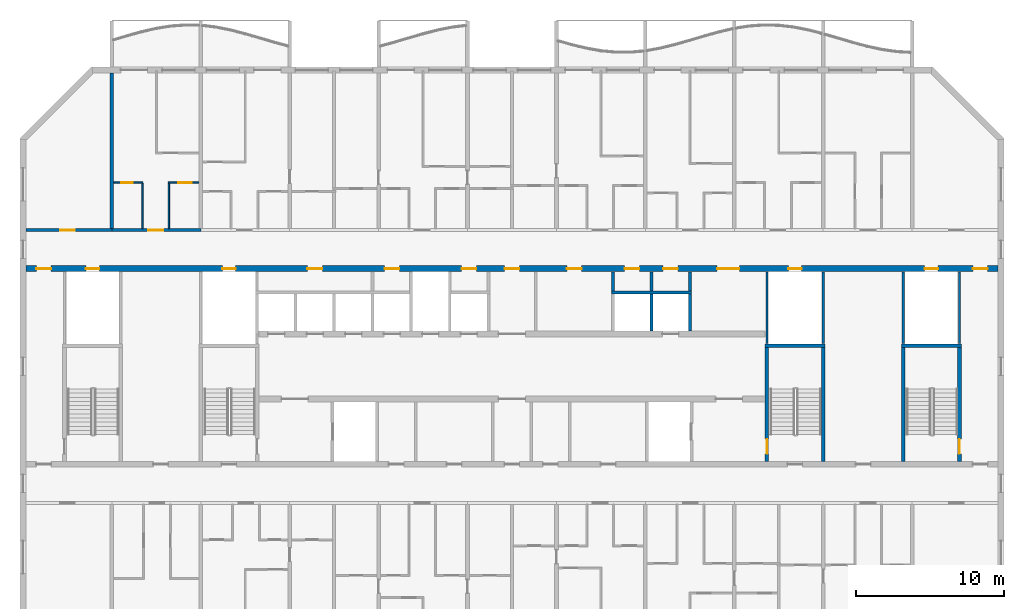
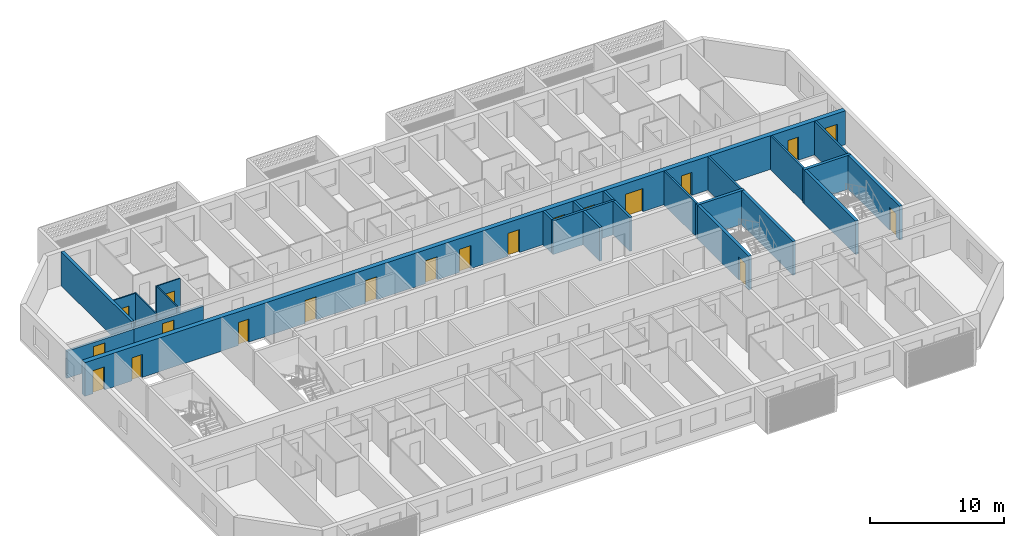
# One storey, part 7 of 28: 24 walls, 20 doors, 20 openings.
"""IFC4 building model written with IfcOpenShell, lengths in metres."""

from ifc_helpers import new_model, si_unit, direction, frame, frame_2d, origin, place, context, subcontext, project, spatial, rectangle, extrude, material, layer, layer_set, type_object, element, fill, save


model = new_model("IFC4")

# Units and contexts
model_context = context("Model", 3, precision=1e-05, world=origin(), true_north=direction((0.0, 1.0)))
body_context = subcontext(model_context, "Body", "Model", "MODEL_VIEW")
ifc_project = project(units=[si_unit("LENGTHUNIT", "METRE"), si_unit("AREAUNIT", "SQUARE_METRE"), si_unit("VOLUMEUNIT", "CUBIC_METRE"), si_unit("PLANEANGLEUNIT", "RADIAN"), si_unit("MASSUNIT", "GRAM", prefix="KILO")], contexts=[model_context])

# Site, building, storey
site_placement = place(None, origin())
site = spatial("IfcSite", under=ifc_project, at=site_placement, CompositionType="ELEMENT")
building_placement = place(site_placement, origin())
building = spatial("IfcBuilding", under=site, at=building_placement, Name="Poui Terraces", CompositionType="ELEMENT")
storey_placement = place(building_placement, frame((0.0, 0.0, 181.800048828125)))
storey = spatial("IfcBuildingStorey", under=building, at=storey_placement, Name="L50", CompositionType="ELEMENT", Elevation=181.800048828125)

# Wall, opening, door
ifc_material_1 = material(Name="Concrete 50 MPa", Category="concrete")
ifc_layer_1 = layer(ifc_material_1, 0.199951171875)
ifc_layer_set_1 = layer_set([ifc_layer_1], Name="Concrete 50 MPa")
wall_type_1 = type_object("IfcWallType", Name="CORRIDOR WALL 200 50MPa", PredefinedType="SHEAR", material=ifc_layer_set_1)
wall_1_placement = place(storey_placement, frame((18.199951171875, 30.39990234375, 0.0), z_axis=(0.0, 0.0, 1.0), x_axis=(1.0, 0.0, 0.0)))
wall_1 = element("IfcWall", 1, at=wall_1_placement, inside=storey, type_object=wall_type_1, Name="CORRIDOR WALL LINE E BAY 1", PredefinedType="SHEAR", context=body_context, shape_type="SweptSolid", body=[
    extrude(rectangle(XDim=5.800048828125, YDim=0.199951171875, at=frame_2d((2.89990234375, 0.0))), origin(), (0.0, 0.0, 1.0), 2.47998046875),
])
opening_1_placement = place(wall_1_placement, frame((2.300048828125, 0.0, 0.0)))
opening_1 = element("IfcOpeningElement", 2, at=opening_1_placement, cuts=wall_1, Name="Opening D100", PredefinedType="OPENING", context=body_context, shape_type="SweptSolid", body=[
    extrude(rectangle(XDim=1.0, YDim=2.10009765625, at=frame_2d((0.5, 1.050048828125))), frame((0.0, 0.10986328125, 0.0), z_axis=(0.0, -1.0, 0.0), x_axis=(1.0, 0.0, 0.0)), (0.0, 0.0, 1.0), 0.219970703125),
])
ifc_material_2 = material(Name="Solid core timber door", Category="wood")
door_type_1 = type_object("IfcDoorType", Name="ACCESSIBLE INTERNAL DOOR 1000 X 2100", OperationType="NOTDEFINED", PredefinedType="DOOR", material=ifc_material_2)
door_1_placement = place(opening_1_placement, origin())
door_1 = element("IfcDoor", 3, at=door_1_placement, inside=storey, type_object=door_type_1, Name="ACCESSIBLE INTERNAL DOOR 026", OperationType="SINGLE_SWING_LEFT", OverallHeight=2.10009765625, OverallWidth=1.0, PredefinedType="DOOR", context=body_context, shape_type="SweptSolid", body=[
    extrude(rectangle(XDim=1.0, YDim=2.10009765625, at=frame_2d((0.5, 1.050048828125))), frame((0.0, 0.02490234375, 0.0), z_axis=(0.0, -1.0, 0.0), x_axis=(1.0, 0.0, 0.0)), (0.0, 0.0, 1.0), 0.050048828125),
])
fill(opening_1, door_1)

wall_2_placement = place(storey_placement, frame((24.0, 30.39990234375, 0.0), z_axis=(0.0, 0.0, 1.0), x_axis=(1.0, 0.0, 0.0)))
wall_2 = element("IfcWall", 4, at=wall_2_placement, inside=storey, type_object=wall_type_1, Name="CORRIDOR WALL LINE E BAY 2", PredefinedType="SHEAR", context=body_context, shape_type="SweptSolid", body=[
    extrude(rectangle(XDim=6.0, YDim=0.199951171875, at=frame_2d((3.0, 0.0))), origin(), (0.0, 0.0, 1.0), 2.47998046875),
])
opening_2_placement = place(wall_2_placement, frame((2.449951171875, 0.0, 0.0)))
opening_2 = element("IfcOpeningElement", 5, at=opening_2_placement, cuts=wall_2, Name="Opening FD30S", PredefinedType="OPENING", context=body_context, shape_type="SweptSolid", body=[
    extrude(rectangle(XDim=1.0, YDim=2.10009765625, at=frame_2d((0.5, 1.050048828125))), frame((0.0, 0.10986328125, 0.0), z_axis=(0.0, -1.0, 0.0), x_axis=(1.0, 0.0, 0.0)), (0.0, 0.0, 1.0), 0.219970703125),
])
ifc_material_3 = material(Name="Steel fire door", Category="steel")
door_type_2 = type_object("IfcDoorType", Name="FLAT ENTRANCE DOOR 1000 X 2100", OperationType="NOTDEFINED", PredefinedType="DOOR", material=ifc_material_3)
door_2_placement = place(opening_2_placement, origin())
door_2 = element("IfcDoor", 6, at=door_2_placement, inside=storey, type_object=door_type_2, Name="FLAT ENTRANCE DOOR 028", OperationType="SINGLE_SWING_LEFT", OverallHeight=2.10009765625, OverallWidth=1.0, PredefinedType="DOOR", context=body_context, shape_type="SweptSolid", body=[
    extrude(rectangle(XDim=1.0, YDim=2.10009765625, at=frame_2d((0.5, 1.050048828125))), frame((0.0, 0.02490234375, 0.0), z_axis=(0.0, -1.0, 0.0), x_axis=(1.0, 0.0, 0.0)), (0.0, 0.0, 1.0), 0.050048828125),
])
fill(opening_2, door_2)

# Wall
ifc_layer_2 = layer(ifc_material_1, 0.25)
ifc_layer_set_2 = layer_set([ifc_layer_2], Name="Concrete 50 MPa")
wall_type_2 = type_object("IfcWallType", Name="CROSS WALL 250 50MPa", PredefinedType="SHEAR", material=ifc_layer_set_2)
wall_3_placement = place(storey_placement, frame((24.0, 30.5, 0.0), z_axis=(0.0, 0.0, 1.0), x_axis=(0.0, 1.0, 0.0)))
element("IfcWall", 7, at=wall_3_placement, inside=storey, type_object=wall_type_2, Name="CROSS WALL LINE 5 NORTH", PredefinedType="SHEAR", context=body_context, shape_type="SweptSolid", body=[
    extrude(rectangle(XDim=10.5, YDim=0.25, at=frame_2d((5.25, 0.0))), origin(), (0.0, 0.0, 1.0), 3.079833984375),
])

# Wall, opening, door
ifc_material_4 = material(Name="Plasterboard partition")
ifc_layer_3 = layer(ifc_material_4, 0.10009765625)
ifc_layer_set_3 = layer_set([ifc_layer_3], Name="Plasterboard partition")
wall_type_3 = type_object("IfcWallType", Name="FLAT PARTITION 100", PredefinedType="PARTITIONING", material=ifc_layer_set_3)
wall_4_placement = place(storey_placement, frame((24.135009765625, 33.60009765625, 0.0), z_axis=(0.0, 0.0, 1.0), x_axis=(1.0, 0.0, 0.0)))
wall_4 = element("IfcWall", 8, at=wall_4_placement, inside=storey, type_object=wall_type_3, Name="FLAT PARTITION 100", PredefinedType="PARTITIONING", context=body_context, shape_type="SweptSolid", body=[
    extrude(rectangle(XDim=1.965087890625, YDim=0.10009765625, at=frame_2d((0.982421875, 0.0))), origin(), (0.0, 0.0, 1.0), 3.079833984375),
])
opening_3_placement = place(wall_4_placement, frame((0.489990234375, 0.0, 0.0)))
opening_3 = element("IfcOpeningElement", 9, at=opening_3_placement, cuts=wall_4, Name="Opening D80", PredefinedType="OPENING", context=body_context, shape_type="SweptSolid", body=[
    extrude(rectangle(XDim=0.800048828125, YDim=2.10009765625, at=frame_2d((0.39990234375, 1.050048828125))), frame((0.0, 0.06005859375, 0.0), z_axis=(0.0, -1.0, 0.0), x_axis=(1.0, 0.0, 0.0)), (0.0, 0.0, 1.0), 0.1201171875),
])
door_type_3 = type_object("IfcDoorType", Name="BATHROOM, LAUNDRY AND STORE DOOR 800 X 2100", OperationType="NOTDEFINED", PredefinedType="DOOR", material=ifc_material_2)
door_3_placement = place(opening_3_placement, frame((0.800048828125, 0.0, 0.0), z_axis=(0.0, 0.0, 1.0), x_axis=(-1.0, 0.0, 0.0)))
door_3 = element("IfcDoor", 10, at=door_3_placement, inside=storey, type_object=door_type_3, Name="BATHROOM, LAUNDRY AND STORE DOOR 027", OperationType="SINGLE_SWING_LEFT", OverallHeight=2.10009765625, OverallWidth=0.800048828125, PredefinedType="DOOR", context=body_context, shape_type="SweptSolid", body=[
    extrude(rectangle(XDim=0.800048828125, YDim=2.10009765625, at=frame_2d((0.39990234375, 1.050048828125))), frame((0.0, 0.02490234375, 0.0), z_axis=(0.0, -1.0, 0.0), x_axis=(1.0, 0.0, 0.0)), (0.0, 0.0, 1.0), 0.050048828125),
])
fill(opening_3, door_3)

wall_5_placement = place(storey_placement, frame((27.800048828125, 33.60009765625, 0.0), z_axis=(0.0, 0.0, 1.0), x_axis=(1.0, 0.0, 0.0)))
wall_5 = element("IfcWall", 11, at=wall_5_placement, inside=storey, type_object=wall_type_3, Name="FLAT PARTITION 100", PredefinedType="PARTITIONING", context=body_context, shape_type="SweptSolid", body=[
    extrude(rectangle(XDim=2.06494140625, YDim=0.10009765625, at=frame_2d((1.032470703125, 0.0))), origin(), (0.0, 0.0, 1.0), 3.079833984375),
])
opening_4_placement = place(wall_5_placement, frame((0.675048828125, 0.0, 0.0)))
opening_4 = element("IfcOpeningElement", 12, at=opening_4_placement, cuts=wall_5, Name="Opening D90", PredefinedType="OPENING", context=body_context, shape_type="SweptSolid", body=[
    extrude(rectangle(XDim=0.89990234375, YDim=2.10009765625, at=frame_2d((0.449951171875, 1.050048828125))), frame((0.0, 0.06005859375, 0.0), z_axis=(0.0, -1.0, 0.0), x_axis=(1.0, 0.0, 0.0)), (0.0, 0.0, 1.0), 0.1201171875),
])
door_type_4 = type_object("IfcDoorType", Name="INTERNAL DOOR 900 X 2100", OperationType="NOTDEFINED", PredefinedType="DOOR", material=ifc_material_2)
door_4_placement = place(opening_4_placement, frame((0.89990234375, 0.0, 0.0), z_axis=(0.0, 0.0, 1.0), x_axis=(-1.0, 0.0, 0.0)))
door_4 = element("IfcDoor", 13, at=door_4_placement, inside=storey, type_object=door_type_4, Name="INTERNAL DOOR 030", OperationType="SINGLE_SWING_RIGHT", OverallHeight=2.10009765625, OverallWidth=0.89990234375, PredefinedType="DOOR", context=body_context, shape_type="SweptSolid", body=[
    extrude(rectangle(XDim=0.89990234375, YDim=2.10009765625, at=frame_2d((0.449951171875, 1.050048828125))), frame((0.0, 0.02490234375, 0.0), z_axis=(0.0, -1.0, 0.0), x_axis=(1.0, 0.0, 0.0)), (0.0, 0.0, 1.0), 0.050048828125),
])
fill(opening_4, door_4)

# Walls
for number, where, z_axis, x_axis, name in (
    (14, (26.050048828125, 30.510009765625, 0.0), (0.0, 0.0, 1.0), (0.0, 1.0, 0.0), "FLAT PARTITION 100"),
    (15, (27.85009765625, 30.510009765625, 0.0), (0.0, 0.0, 1.0), (0.0, 1.0, 0.0), "FLAT PARTITION 100"),
):
    element("IfcWall", number, at=place(storey_placement, frame(where, z_axis=z_axis, x_axis=x_axis)), inside=storey, type_object=wall_type_3, Name=name, PredefinedType="PARTITIONING", context=body_context, shape_type="SweptSolid", body=[
        extrude(rectangle(XDim=3.0400390625, YDim=0.10009765625, at=frame_2d((1.52001953125, 0.0))), origin(), (0.0, 0.0, 1.0), 3.079833984375),
    ])
ifc_material_5 = material(Name="Fire-rated masonry wall", Category="masonry")
ifc_layer_4 = layer(ifc_material_5, 0.199951171875)
ifc_layer_set_4 = layer_set([ifc_layer_4], Name="Fire-rated masonry wall")
wall_type_4 = type_object("IfcWallType", Name="PLANT ROOM WALL 200", PredefinedType="PARTITIONING", material=ifc_layer_set_4)
for number, where, z_axis, x_axis, name in (
    (16, (57.800048828125, 26.300048828125, 0.0), (0.0, 0.0, 1.0), (0.0, 1.0, 0.0), "PLANT ROOM WALL 200"),
    (17, (60.39990234375, 26.300048828125, 0.0), (0.0, 0.0, 1.0), (0.0, 1.0, 0.0), "PLANT ROOM WALL 200"),
    (18, (63.0, 26.300048828125, 0.0), (0.0, 0.0, 1.0), (0.0, 1.0, 0.0), "PLANT ROOM WALL 200"),
):
    element("IfcWall", number, at=place(storey_placement, frame(where, z_axis=z_axis, x_axis=x_axis)), inside=storey, type_object=wall_type_4, Name=name, PredefinedType="PARTITIONING", context=body_context, shape_type="SweptSolid", body=[
        extrude(rectangle(XDim=1.2900390625, YDim=0.199951171875, at=frame_2d((0.64501953125, 0.0))), origin(), (0.0, 0.0, 1.0), 3.079833984375),
    ])
ifc_material_6 = material(Name="Fire-rated plasterboard riser wall")
ifc_layer_5 = layer(ifc_material_6, 0.14990234375)
ifc_layer_set_5 = layer_set([ifc_layer_5], Name="Fire-rated plasterboard riser wall")
wall_type_5 = type_object("IfcWallType", Name="RISER WALL 150", PredefinedType="PARTITIONING", material=ifc_layer_set_5)
for number, where, z_axis, x_axis, name in (
    (19, (68.199951171875, 22.735107421875, 0.0), (0.0, 0.0, 1.0), (0.0, 1.0, 0.0), "RISER WALL 150"),
    (20, (72.0, 22.735107421875, 0.0), (0.0, 0.0, 1.0), (0.0, 1.0, 0.0), "RISER WALL 150"),
    (21, (77.39990234375, 22.735107421875, 0.0), (0.0, 0.0, 1.0), (0.0, 1.0, 0.0), "RISER WALL 150"),
    (22, (81.199951171875, 22.735107421875, 0.0), (0.0, 0.0, 1.0), (0.0, 1.0, 0.0), "RISER WALL 150"),
):
    element("IfcWall", number, at=place(storey_placement, frame(where, z_axis=z_axis, x_axis=x_axis)), inside=storey, type_object=wall_type_5, Name=name, PredefinedType="PARTITIONING", context=body_context, shape_type="SweptSolid", body=[
        extrude(rectangle(XDim=4.85498046875, YDim=0.14990234375, at=frame_2d((2.427490234375, 0.0))), origin(), (0.0, 0.0, 1.0), 3.079833984375),
    ])
ifc_material_7 = material(Name="Fire-rated masonry shaft wall", Category="masonry")
ifc_layer_6 = layer(ifc_material_7, 0.199951171875)
ifc_layer_set_6 = layer_set([ifc_layer_6], Name="Fire-rated masonry shaft wall")
wall_type_6 = type_object("IfcWallType", Name="SHAFT WALL 200", PredefinedType="PARTITIONING", material=ifc_layer_set_6)
wall_6_placement = place(storey_placement, frame((57.699951171875, 26.199951171875, 0.0), z_axis=(0.0, 0.0, 1.0), x_axis=(1.0, 0.0, 0.0)))
element("IfcWall", 23, at=wall_6_placement, inside=storey, type_object=wall_type_6, Name="SHAFT WALL 200", PredefinedType="PARTITIONING", context=body_context, shape_type="SweptSolid", body=[
    extrude(rectangle(XDim=5.400146484375, YDim=0.199951171875, at=frame_2d((2.7001953125, 0.0))), origin(), (0.0, 0.0, 1.0), 3.079833984375),
])
for number, where, z_axis, x_axis, name in (
    (24, (60.39990234375, 23.610107421875, 0.0), (0.0, 0.0, 1.0), (0.0, 1.0, 0.0), "SHAFT WALL 200"),
    (25, (63.0, 23.610107421875, 0.0), (0.0, 0.0, 1.0), (0.0, 1.0, 0.0), "SHAFT WALL 200"),
):
    element("IfcWall", number, at=place(storey_placement, frame(where, z_axis=z_axis, x_axis=x_axis)), inside=storey, type_object=wall_type_6, Name=name, PredefinedType="PARTITIONING", context=body_context, shape_type="SweptSolid", body=[
        extrude(rectangle(XDim=2.489990234375, YDim=0.199951171875, at=frame_2d((1.2451171875, 0.0))), origin(), (0.0, 0.0, 1.0), 3.079833984375),
    ])

# Wall, openings, doors
ifc_layer_7 = layer(ifc_material_1, 0.39990234375)
ifc_layer_set_7 = layer_set([ifc_layer_7], Name="Concrete 50 MPa")
wall_type_7 = type_object("IfcWallType", Name="SPINE WALL 400 50 MPA", PredefinedType="SOLIDWALL", material=ifc_layer_set_7)
wall_7_placement = place(storey_placement, frame((18.199951171875, 27.800048828125, 0.0), z_axis=(0.0, 0.0, 1.0), x_axis=(1.0, 0.0, 0.0)))
wall_7 = element("IfcWall", 26, at=wall_7_placement, inside=storey, type_object=wall_type_7, Name="SPINE WALL", PredefinedType="SOLIDWALL", context=body_context, shape_type="SweptSolid", body=[
    extrude(rectangle(XDim=65.60009765625, YDim=0.39990234375, at=frame_2d((32.800048828125, 0.0))), origin(), (0.0, 0.0, 1.0), 3.079833984375),
])
opening_5_placement = place(wall_7_placement, frame((0.699951171875, 0.0, 0.0)))
opening_5 = element("IfcOpeningElement", 27, at=opening_5_placement, cuts=wall_7, Name="Opening FDL", PredefinedType="OPENING", context=body_context, shape_type="SweptSolid", body=[
    extrude(rectangle(XDim=1.0, YDim=2.10009765625, at=frame_2d((0.5, 1.050048828125))), frame((0.0, 0.2099609375, 0.0), z_axis=(0.0, -1.0, 0.0), x_axis=(1.0, 0.0, 0.0)), (0.0, 0.0, 1.0), 0.419921875),
])
opening_6_placement = place(wall_7_placement, frame((4.050048828125, 0.0, 0.0)))
opening_6 = element("IfcOpeningElement", 28, at=opening_6_placement, cuts=wall_7, Name="Opening FDR", PredefinedType="OPENING", context=body_context, shape_type="SweptSolid", body=[
    extrude(rectangle(XDim=0.89990234375, YDim=2.10009765625, at=frame_2d((0.449951171875, 1.050048828125))), frame((0.0, 0.2099609375, 0.0), z_axis=(0.0, -1.0, 0.0), x_axis=(1.0, 0.0, 0.0)), (0.0, 0.0, 1.0), 0.419921875),
])
opening_7_placement = place(wall_7_placement, frame((13.25, 0.0, 0.0)))
opening_7 = element("IfcOpeningElement", 29, at=opening_7_placement, cuts=wall_7, Name="Opening FDR", PredefinedType="OPENING", context=body_context, shape_type="SweptSolid", body=[
    extrude(rectangle(XDim=0.89990234375, YDim=2.10009765625, at=frame_2d((0.449951171875, 1.050048828125))), frame((0.0, 0.2099609375, 0.0), z_axis=(0.0, -1.0, 0.0), x_axis=(1.0, 0.0, 0.0)), (0.0, 0.0, 1.0), 0.419921875),
])
opening_8_placement = place(wall_7_placement, frame((19.0, 0.0, 0.0)))
opening_8 = element("IfcOpeningElement", 30, at=opening_8_placement, cuts=wall_7, Name="Opening FD60", PredefinedType="OPENING", context=body_context, shape_type="SweptSolid", body=[
    extrude(rectangle(XDim=1.0, YDim=2.10009765625, at=frame_2d((0.5, 1.050048828125))), frame((0.0, 0.2099609375, 0.0), z_axis=(0.0, -1.0, 0.0), x_axis=(1.0, 0.0, 0.0)), (0.0, 0.0, 1.0), 0.419921875),
])
opening_9_placement = place(wall_7_placement, frame((24.199951171875, 0.0, 0.0)))
opening_9 = element("IfcOpeningElement", 31, at=opening_9_placement, cuts=wall_7, Name="Opening FD60", PredefinedType="OPENING", context=body_context, shape_type="SweptSolid", body=[
    extrude(rectangle(XDim=1.0, YDim=2.10009765625, at=frame_2d((0.5, 1.050048828125))), frame((0.0, 0.2099609375, 0.0), z_axis=(0.0, -1.0, 0.0), x_axis=(1.0, 0.0, 0.0)), (0.0, 0.0, 1.0), 0.419921875),
])
opening_10_placement = place(wall_7_placement, frame((29.39990234375, 0.0, 0.0)))
opening_10 = element("IfcOpeningElement", 32, at=opening_10_placement, cuts=wall_7, Name="Opening FD60", PredefinedType="OPENING", context=body_context, shape_type="SweptSolid", body=[
    extrude(rectangle(XDim=1.0, YDim=2.10009765625, at=frame_2d((0.5, 1.050048828125))), frame((0.0, 0.2099609375, 0.0), z_axis=(0.0, -1.0, 0.0), x_axis=(1.0, 0.0, 0.0)), (0.0, 0.0, 1.0), 0.419921875),
])
opening_11_placement = place(wall_7_placement, frame((32.300048828125, 0.0, 0.0)))
opening_11 = element("IfcOpeningElement", 33, at=opening_11_placement, cuts=wall_7, Name="Opening FDL", PredefinedType="OPENING", context=body_context, shape_type="SweptSolid", body=[
    extrude(rectangle(XDim=1.0, YDim=2.10009765625, at=frame_2d((0.5, 1.050048828125))), frame((0.0, 0.2099609375, 0.0), z_axis=(0.0, -1.0, 0.0), x_axis=(1.0, 0.0, 0.0)), (0.0, 0.0, 1.0), 0.419921875),
])
opening_12_placement = place(wall_7_placement, frame((36.5, 0.0, 0.0)))
opening_12 = element("IfcOpeningElement", 34, at=opening_12_placement, cuts=wall_7, Name="Opening FD60", PredefinedType="OPENING", context=body_context, shape_type="SweptSolid", body=[
    extrude(rectangle(XDim=1.0, YDim=2.10009765625, at=frame_2d((0.5, 1.050048828125))), frame((0.0, 0.2099609375, 0.0), z_axis=(0.0, -1.0, 0.0), x_axis=(1.0, 0.0, 0.0)), (0.0, 0.0, 1.0), 0.419921875),
])
opening_13_placement = place(wall_7_placement, frame((40.39990234375, 0.0, 0.0)))
opening_13 = element("IfcOpeningElement", 35, at=opening_13_placement, cuts=wall_7, Name="Opening FD60", PredefinedType="OPENING", context=body_context, shape_type="SweptSolid", body=[
    extrude(rectangle(XDim=1.0, YDim=2.10009765625, at=frame_2d((0.5, 1.050048828125))), frame((0.0, 0.2099609375, 0.0), z_axis=(0.0, -1.0, 0.0), x_axis=(1.0, 0.0, 0.0)), (0.0, 0.0, 1.0), 0.419921875),
])
opening_14_placement = place(wall_7_placement, frame((43.0, 0.0, 0.0)))
opening_14 = element("IfcOpeningElement", 36, at=opening_14_placement, cuts=wall_7, Name="Opening FD60", PredefinedType="OPENING", context=body_context, shape_type="SweptSolid", body=[
    extrude(rectangle(XDim=1.0, YDim=2.10009765625, at=frame_2d((0.5, 1.050048828125))), frame((0.0, 0.2099609375, 0.0), z_axis=(0.0, -1.0, 0.0), x_axis=(1.0, 0.0, 0.0)), (0.0, 0.0, 1.0), 0.419921875),
])
opening_15_placement = place(wall_7_placement, frame((46.64990234375, 0.0, 0.0)))
opening_15 = element("IfcOpeningElement", 37, at=opening_15_placement, cuts=wall_7, Name="Opening FDP", PredefinedType="OPENING", context=body_context, shape_type="SweptSolid", body=[
    extrude(rectangle(XDim=1.5, YDim=2.10009765625, at=frame_2d((0.75, 1.050048828125))), frame((0.0, 0.2099609375, 0.0), z_axis=(0.0, -1.0, 0.0), x_axis=(1.0, 0.0, 0.0)), (0.0, 0.0, 1.0), 0.419921875),
])
opening_16_placement = place(wall_7_placement, frame((51.449951171875, 0.0, 0.0)))
opening_16 = element("IfcOpeningElement", 38, at=opening_16_placement, cuts=wall_7, Name="Opening FDR", PredefinedType="OPENING", context=body_context, shape_type="SweptSolid", body=[
    extrude(rectangle(XDim=0.89990234375, YDim=2.10009765625, at=frame_2d((0.449951171875, 1.050048828125))), frame((0.0, 0.2099609375, 0.0), z_axis=(0.0, -1.0, 0.0), x_axis=(1.0, 0.0, 0.0)), (0.0, 0.0, 1.0), 0.419921875),
])
opening_17_placement = place(wall_7_placement, frame((60.64990234375, 0.0, 0.0)))
opening_17 = element("IfcOpeningElement", 39, at=opening_17_placement, cuts=wall_7, Name="Opening FDR", PredefinedType="OPENING", context=body_context, shape_type="SweptSolid", body=[
    extrude(rectangle(XDim=0.89990234375, YDim=2.10009765625, at=frame_2d((0.449951171875, 1.050048828125))), frame((0.0, 0.2099609375, 0.0), z_axis=(0.0, -1.0, 0.0), x_axis=(1.0, 0.0, 0.0)), (0.0, 0.0, 1.0), 0.419921875),
])
opening_18_placement = place(wall_7_placement, frame((63.89990234375, 0.0, 0.0)))
opening_18 = element("IfcOpeningElement", 40, at=opening_18_placement, cuts=wall_7, Name="Opening FDL", PredefinedType="OPENING", context=body_context, shape_type="SweptSolid", body=[
    extrude(rectangle(XDim=1.0, YDim=2.10009765625, at=frame_2d((0.5, 1.050048828125))), frame((0.0, 0.2099609375, 0.0), z_axis=(0.0, -1.0, 0.0), x_axis=(1.0, 0.0, 0.0)), (0.0, 0.0, 1.0), 0.419921875),
])
door_type_5 = type_object("IfcDoorType", Name="LOBBY FIRE DOOR 1000 X 2100", OperationType="NOTDEFINED", PredefinedType="DOOR", material=ifc_material_3)
door_5_placement = place(opening_5_placement, origin())
door_5 = element("IfcDoor", 41, at=door_5_placement, inside=storey, type_object=door_type_5, Name="LOBBY FIRE DOOR 001", OperationType="SINGLE_SWING_LEFT", OverallHeight=2.10009765625, OverallWidth=1.0, PredefinedType="DOOR", context=body_context, shape_type="SweptSolid", body=[
    extrude(rectangle(XDim=1.0, YDim=2.10009765625, at=frame_2d((0.5, 1.050048828125))), frame((0.0, 0.02490234375, 0.0), z_axis=(0.0, -1.0, 0.0), x_axis=(1.0, 0.0, 0.0)), (0.0, 0.0, 1.0), 0.050048828125),
])
fill(opening_5, door_5)
door_6_placement = place(opening_11_placement, origin())
door_6 = element("IfcDoor", 42, at=door_6_placement, inside=storey, type_object=door_type_5, Name="LOBBY FIRE DOOR 007", OperationType="SINGLE_SWING_RIGHT", OverallHeight=2.10009765625, OverallWidth=1.0, PredefinedType="DOOR", context=body_context, shape_type="SweptSolid", body=[
    extrude(rectangle(XDim=1.0, YDim=2.10009765625, at=frame_2d((0.5, 1.050048828125))), frame((0.0, 0.02490234375, 0.0), z_axis=(0.0, -1.0, 0.0), x_axis=(1.0, 0.0, 0.0)), (0.0, 0.0, 1.0), 0.050048828125),
])
fill(opening_11, door_6)
door_7_placement = place(opening_18_placement, origin())
door_7 = element("IfcDoor", 43, at=door_7_placement, inside=storey, type_object=door_type_5, Name="LOBBY FIRE DOOR 014", OperationType="SINGLE_SWING_RIGHT", OverallHeight=2.10009765625, OverallWidth=1.0, PredefinedType="DOOR", context=body_context, shape_type="SweptSolid", body=[
    extrude(rectangle(XDim=1.0, YDim=2.10009765625, at=frame_2d((0.5, 1.050048828125))), frame((0.0, 0.02490234375, 0.0), z_axis=(0.0, -1.0, 0.0), x_axis=(1.0, 0.0, 0.0)), (0.0, 0.0, 1.0), 0.050048828125),
])
fill(opening_18, door_7)
door_type_6 = type_object("IfcDoorType", Name="PLANT ROOM DOOR PAIR 1500 X 2100", OperationType="DOUBLE_DOOR_SINGLE_SWING", PredefinedType="DOOR", material=ifc_material_3)
door_8_placement = place(opening_15_placement, origin())
door_8 = element("IfcDoor", 44, at=door_8_placement, inside=storey, type_object=door_type_6, Name="PLANT ROOM DOOR PAIR 011", OperationType="DOUBLE_DOOR_SINGLE_SWING", OverallHeight=2.10009765625, OverallWidth=1.5, PredefinedType="DOOR", context=body_context, shape_type="SweptSolid", body=[
    extrude(rectangle(XDim=1.5, YDim=2.10009765625, at=frame_2d((0.75, 1.050048828125))), frame((0.0, 0.02490234375, 0.0), z_axis=(0.0, -1.0, 0.0), x_axis=(1.0, 0.0, 0.0)), (0.0, 0.0, 1.0), 0.050048828125),
])
fill(opening_15, door_8)
door_type_7 = type_object("IfcDoorType", Name="RISER CUPBOARD DOOR 900 X 2100", OperationType="NOTDEFINED", PredefinedType="DOOR", material=ifc_material_3)
door_9_placement = place(opening_6_placement, origin())
door_9 = element("IfcDoor", 45, at=door_9_placement, inside=storey, type_object=door_type_7, Name="RISER CUPBOARD DOOR 002", OperationType="SINGLE_SWING_LEFT", OverallHeight=2.10009765625, OverallWidth=0.89990234375, PredefinedType="DOOR", context=body_context, shape_type="SweptSolid", body=[
    extrude(rectangle(XDim=0.89990234375, YDim=2.10009765625, at=frame_2d((0.449951171875, 1.050048828125))), frame((0.0, 0.02490234375, 0.0), z_axis=(0.0, -1.0, 0.0), x_axis=(1.0, 0.0, 0.0)), (0.0, 0.0, 1.0), 0.050048828125),
])
fill(opening_6, door_9)
door_10_placement = place(opening_7_placement, origin())
door_10 = element("IfcDoor", 46, at=door_10_placement, inside=storey, type_object=door_type_7, Name="RISER CUPBOARD DOOR 003", OperationType="SINGLE_SWING_LEFT", OverallHeight=2.10009765625, OverallWidth=0.89990234375, PredefinedType="DOOR", context=body_context, shape_type="SweptSolid", body=[
    extrude(rectangle(XDim=0.89990234375, YDim=2.10009765625, at=frame_2d((0.449951171875, 1.050048828125))), frame((0.0, 0.02490234375, 0.0), z_axis=(0.0, -1.0, 0.0), x_axis=(1.0, 0.0, 0.0)), (0.0, 0.0, 1.0), 0.050048828125),
])
fill(opening_7, door_10)
door_11_placement = place(opening_16_placement, origin())
door_11 = element("IfcDoor", 47, at=door_11_placement, inside=storey, type_object=door_type_7, Name="RISER CUPBOARD DOOR 012", OperationType="SINGLE_SWING_RIGHT", OverallHeight=2.10009765625, OverallWidth=0.89990234375, PredefinedType="DOOR", context=body_context, shape_type="SweptSolid", body=[
    extrude(rectangle(XDim=0.89990234375, YDim=2.10009765625, at=frame_2d((0.449951171875, 1.050048828125))), frame((0.0, 0.02490234375, 0.0), z_axis=(0.0, -1.0, 0.0), x_axis=(1.0, 0.0, 0.0)), (0.0, 0.0, 1.0), 0.050048828125),
])
fill(opening_16, door_11)
door_12_placement = place(opening_17_placement, origin())
door_12 = element("IfcDoor", 48, at=door_12_placement, inside=storey, type_object=door_type_7, Name="RISER CUPBOARD DOOR 013", OperationType="SINGLE_SWING_RIGHT", OverallHeight=2.10009765625, OverallWidth=0.89990234375, PredefinedType="DOOR", context=body_context, shape_type="SweptSolid", body=[
    extrude(rectangle(XDim=0.89990234375, YDim=2.10009765625, at=frame_2d((0.449951171875, 1.050048828125))), frame((0.0, 0.02490234375, 0.0), z_axis=(0.0, -1.0, 0.0), x_axis=(1.0, 0.0, 0.0)), (0.0, 0.0, 1.0), 0.050048828125),
])
fill(opening_17, door_12)
door_type_8 = type_object("IfcDoorType", Name="SERVICE ROOM FIRE DOOR 1000 X 2100", OperationType="NOTDEFINED", PredefinedType="DOOR", material=ifc_material_3)
door_13_placement = place(opening_8_placement, origin())
door_13 = element("IfcDoor", 49, at=door_13_placement, inside=storey, type_object=door_type_8, Name="SERVICE ROOM FIRE DOOR 004", OperationType="SINGLE_SWING_LEFT", OverallHeight=2.10009765625, OverallWidth=1.0, PredefinedType="DOOR", context=body_context, shape_type="SweptSolid", body=[
    extrude(rectangle(XDim=1.0, YDim=2.10009765625, at=frame_2d((0.5, 1.050048828125))), frame((0.0, 0.02490234375, 0.0), z_axis=(0.0, -1.0, 0.0), x_axis=(1.0, 0.0, 0.0)), (0.0, 0.0, 1.0), 0.050048828125),
])
fill(opening_8, door_13)
door_14_placement = place(opening_9_placement, origin())
door_14 = element("IfcDoor", 50, at=door_14_placement, inside=storey, type_object=door_type_8, Name="SERVICE ROOM FIRE DOOR 005", OperationType="SINGLE_SWING_RIGHT", OverallHeight=2.10009765625, OverallWidth=1.0, PredefinedType="DOOR", context=body_context, shape_type="SweptSolid", body=[
    extrude(rectangle(XDim=1.0, YDim=2.10009765625, at=frame_2d((0.5, 1.050048828125))), frame((0.0, 0.02490234375, 0.0), z_axis=(0.0, -1.0, 0.0), x_axis=(1.0, 0.0, 0.0)), (0.0, 0.0, 1.0), 0.050048828125),
])
fill(opening_9, door_14)
door_15_placement = place(opening_10_placement, origin())
door_15 = element("IfcDoor", 51, at=door_15_placement, inside=storey, type_object=door_type_8, Name="SERVICE ROOM FIRE DOOR 006", OperationType="SINGLE_SWING_LEFT", OverallHeight=2.10009765625, OverallWidth=1.0, PredefinedType="DOOR", context=body_context, shape_type="SweptSolid", body=[
    extrude(rectangle(XDim=1.0, YDim=2.10009765625, at=frame_2d((0.5, 1.050048828125))), frame((0.0, 0.02490234375, 0.0), z_axis=(0.0, -1.0, 0.0), x_axis=(1.0, 0.0, 0.0)), (0.0, 0.0, 1.0), 0.050048828125),
])
fill(opening_10, door_15)
door_16_placement = place(opening_12_placement, origin())
door_16 = element("IfcDoor", 52, at=door_16_placement, inside=storey, type_object=door_type_8, Name="SERVICE ROOM FIRE DOOR 008", OperationType="SINGLE_SWING_RIGHT", OverallHeight=2.10009765625, OverallWidth=1.0, PredefinedType="DOOR", context=body_context, shape_type="SweptSolid", body=[
    extrude(rectangle(XDim=1.0, YDim=2.10009765625, at=frame_2d((0.5, 1.050048828125))), frame((0.0, 0.02490234375, 0.0), z_axis=(0.0, -1.0, 0.0), x_axis=(1.0, 0.0, 0.0)), (0.0, 0.0, 1.0), 0.050048828125),
])
fill(opening_12, door_16)
door_17_placement = place(opening_13_placement, origin())
door_17 = element("IfcDoor", 53, at=door_17_placement, inside=storey, type_object=door_type_8, Name="SERVICE ROOM FIRE DOOR 009", OperationType="SINGLE_SWING_LEFT", OverallHeight=2.10009765625, OverallWidth=1.0, PredefinedType="DOOR", context=body_context, shape_type="SweptSolid", body=[
    extrude(rectangle(XDim=1.0, YDim=2.10009765625, at=frame_2d((0.5, 1.050048828125))), frame((0.0, 0.02490234375, 0.0), z_axis=(0.0, -1.0, 0.0), x_axis=(1.0, 0.0, 0.0)), (0.0, 0.0, 1.0), 0.050048828125),
])
fill(opening_13, door_17)
door_18_placement = place(opening_14_placement, origin())
door_18 = element("IfcDoor", 54, at=door_18_placement, inside=storey, type_object=door_type_8, Name="SERVICE ROOM FIRE DOOR 010", OperationType="SINGLE_SWING_RIGHT", OverallHeight=2.10009765625, OverallWidth=1.0, PredefinedType="DOOR", context=body_context, shape_type="SweptSolid", body=[
    extrude(rectangle(XDim=1.0, YDim=2.10009765625, at=frame_2d((0.5, 1.050048828125))), frame((0.0, 0.02490234375, 0.0), z_axis=(0.0, -1.0, 0.0), x_axis=(1.0, 0.0, 0.0)), (0.0, 0.0, 1.0), 0.050048828125),
])
fill(opening_14, door_18)

# Wall, opening, door
ifc_layer_8 = layer(ifc_material_1, 0.25)
ifc_layer_set_8 = layer_set([ifc_layer_8], Name="Concrete 50 MPa")
wall_type_8 = type_object("IfcWallType", Name="STAIR CORE WALL 250 50 MPA", PredefinedType="SOLIDWALL", material=ifc_layer_set_8)
wall_8_placement = place(storey_placement, frame((68.199951171875, 14.800048828125, 0.0), z_axis=(0.0, 0.0, 1.0), x_axis=(0.0, 1.0, 0.0)))
wall_8 = element("IfcWall", 55, at=wall_8_placement, inside=storey, type_object=wall_type_8, Name="STAIR CORE WALL", PredefinedType="SOLIDWALL", context=body_context, shape_type="SweptSolid", body=[
    extrude(rectangle(XDim=7.675048828125, YDim=0.25, at=frame_2d((3.83740234375, 0.0))), origin(), (0.0, 0.0, 1.0), 3.079833984375),
])
opening_19_placement = place(wall_8_placement, frame((0.5, 0.0, 0.0)))
opening_19 = element("IfcOpeningElement", 56, at=opening_19_placement, cuts=wall_8, Name="Opening FD60S", PredefinedType="OPENING", context=body_context, shape_type="SweptSolid", body=[
    extrude(rectangle(XDim=1.0, YDim=2.10009765625, at=frame_2d((0.5, 1.050048828125))), frame((0.0, 0.135009765625, 0.0), z_axis=(0.0, -1.0, 0.0), x_axis=(1.0, 0.0, 0.0)), (0.0, 0.0, 1.0), 0.27001953125),
])
door_type_9 = type_object("IfcDoorType", Name="STAIR DOOR 1000 X 2100", OperationType="NOTDEFINED", PredefinedType="DOOR", material=ifc_material_3)
door_19_placement = place(opening_19_placement, frame((1.0, 0.0, 0.0), z_axis=(0.0, 0.0, 1.0), x_axis=(-1.0, 0.0, 0.0)))
door_19 = element("IfcDoor", 57, at=door_19_placement, inside=storey, type_object=door_type_9, Name="STAIR DOOR 103", OperationType="SINGLE_SWING_LEFT", OverallHeight=2.10009765625, OverallWidth=1.0, PredefinedType="DOOR", context=body_context, shape_type="SweptSolid", body=[
    extrude(rectangle(XDim=1.0, YDim=2.10009765625, at=frame_2d((0.5, 1.050048828125))), frame((0.0, 0.02490234375, 0.0), z_axis=(0.0, -1.0, 0.0), x_axis=(1.0, 0.0, 0.0)), (0.0, 0.0, 1.0), 0.050048828125),
])
fill(opening_19, door_19)

# Walls
wall_9_placement = place(storey_placement, frame((72.0, 14.800048828125, 0.0), z_axis=(0.0, 0.0, 1.0), x_axis=(0.0, 1.0, 0.0)))
element("IfcWall", 58, at=wall_9_placement, inside=storey, type_object=wall_type_8, Name="STAIR CORE WALL", PredefinedType="SOLIDWALL", context=body_context, shape_type="SweptSolid", body=[
    extrude(rectangle(XDim=7.675048828125, YDim=0.25, at=frame_2d((3.83740234375, 0.0))), origin(), (0.0, 0.0, 1.0), 3.079833984375),
])
wall_10_placement = place(storey_placement, frame((68.074951171875, 22.60009765625, 0.0), z_axis=(0.0, 0.0, 1.0), x_axis=(1.0, 0.0, 0.0)))
element("IfcWall", 59, at=wall_10_placement, inside=storey, type_object=wall_type_8, Name="STAIR CORE WALL", PredefinedType="SOLIDWALL", context=body_context, shape_type="SweptSolid", body=[
    extrude(rectangle(XDim=4.050048828125, YDim=0.25, at=frame_2d((2.02490234375, 0.0))), origin(), (0.0, 0.0, 1.0), 3.079833984375),
])
wall_11_placement = place(storey_placement, frame((77.39990234375, 14.800048828125, 0.0), z_axis=(0.0, 0.0, 1.0), x_axis=(0.0, 1.0, 0.0)))
element("IfcWall", 60, at=wall_11_placement, inside=storey, type_object=wall_type_8, Name="STAIR CORE WALL", PredefinedType="SOLIDWALL", context=body_context, shape_type="SweptSolid", body=[
    extrude(rectangle(XDim=7.675048828125, YDim=0.25, at=frame_2d((3.83740234375, 0.0))), origin(), (0.0, 0.0, 1.0), 3.079833984375),
])

# Wall, opening, door
wall_12_placement = place(storey_placement, frame((81.199951171875, 14.800048828125, 0.0), z_axis=(0.0, 0.0, 1.0), x_axis=(0.0, 1.0, 0.0)))
wall_12 = element("IfcWall", 61, at=wall_12_placement, inside=storey, type_object=wall_type_8, Name="STAIR CORE WALL", PredefinedType="SOLIDWALL", context=body_context, shape_type="SweptSolid", body=[
    extrude(rectangle(XDim=7.675048828125, YDim=0.25, at=frame_2d((3.83740234375, 0.0))), origin(), (0.0, 0.0, 1.0), 3.079833984375),
])
opening_20_placement = place(wall_12_placement, frame((0.5, 0.0, 0.0)))
opening_20 = element("IfcOpeningElement", 62, at=opening_20_placement, cuts=wall_12, Name="Opening FD60S", PredefinedType="OPENING", context=body_context, shape_type="SweptSolid", body=[
    extrude(rectangle(XDim=1.0, YDim=2.10009765625, at=frame_2d((0.5, 1.050048828125))), frame((0.0, 0.135009765625, 0.0), z_axis=(0.0, -1.0, 0.0), x_axis=(1.0, 0.0, 0.0)), (0.0, 0.0, 1.0), 0.27001953125),
])
door_20_placement = place(opening_20_placement, origin())
door_20 = element("IfcDoor", 63, at=door_20_placement, inside=storey, type_object=door_type_9, Name="STAIR DOOR 117", OperationType="SINGLE_SWING_LEFT", OverallHeight=2.10009765625, OverallWidth=1.0, PredefinedType="DOOR", context=body_context, shape_type="SweptSolid", body=[
    extrude(rectangle(XDim=1.0, YDim=2.10009765625, at=frame_2d((0.5, 1.050048828125))), frame((0.0, 0.02490234375, 0.0), z_axis=(0.0, -1.0, 0.0), x_axis=(1.0, 0.0, 0.0)), (0.0, 0.0, 1.0), 0.050048828125),
])
fill(opening_20, door_20)

# Wall
wall_13_placement = place(storey_placement, frame((77.27490234375, 22.60009765625, 0.0), z_axis=(0.0, 0.0, 1.0), x_axis=(1.0, 0.0, 0.0)))
element("IfcWall", 64, at=wall_13_placement, inside=storey, type_object=wall_type_8, Name="STAIR CORE WALL", PredefinedType="SOLIDWALL", context=body_context, shape_type="SweptSolid", body=[
    extrude(rectangle(XDim=4.050048828125, YDim=0.25, at=frame_2d((2.02490234375, 0.0))), origin(), (0.0, 0.0, 1.0), 3.079833984375),
])

save(model, "model.ifc")
